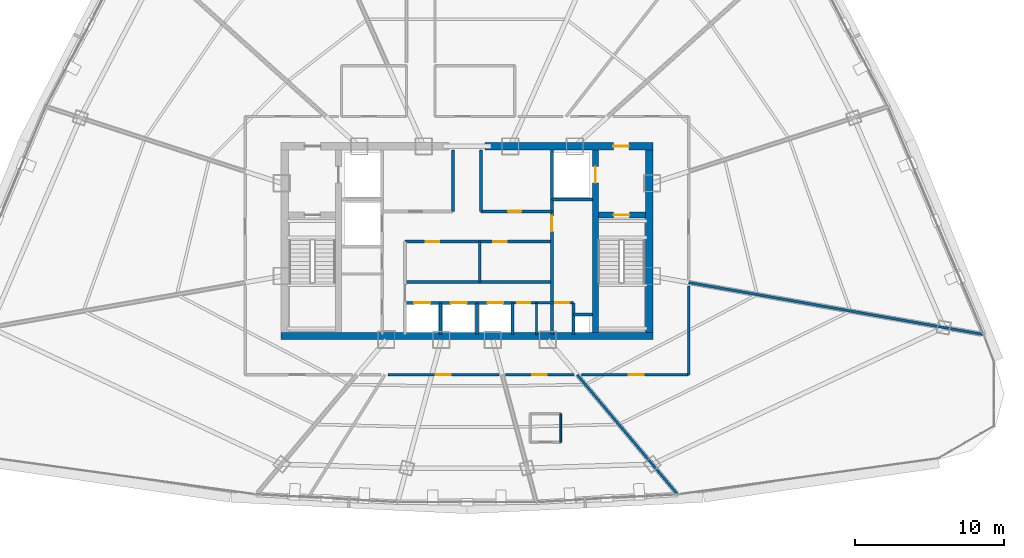
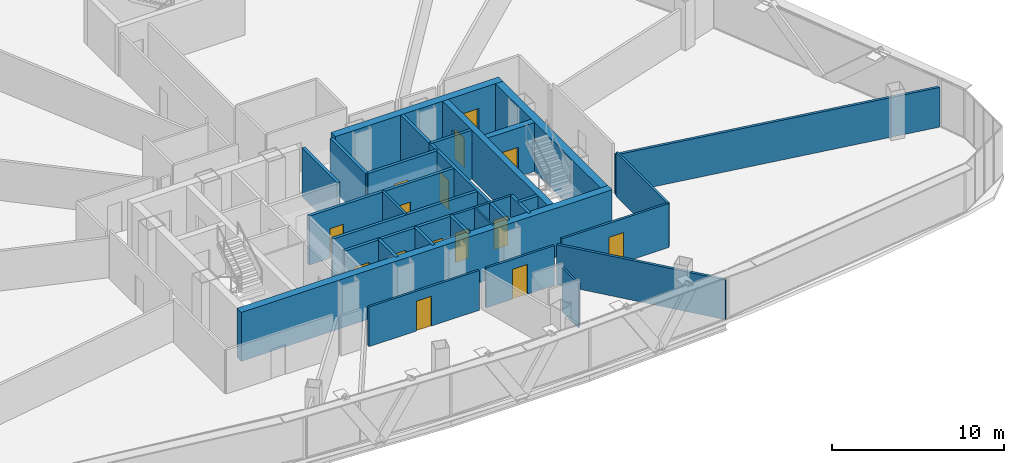
# One storey, part 31 of 36: 29 walls, 15 doors, 15 openings.
"""IFC4 building model written with IfcOpenShell, lengths in metres."""

from ifc_helpers import new_model, si_unit, direction, frame, frame_2d, origin, origin_with_axes, place, context, subcontext, project, spatial, rectangle, extrude, source, transform, mapped, material, layer, layer_set, type_object, element, fill, save


model = new_model("IFC4")

# Units and contexts
model_context = context("Model", 3, precision=1e-05, world=origin(), true_north=direction((0.0, 1.0)))
body_context = subcontext(model_context, "Body", "Model", "MODEL_VIEW")
ifc_project = project(units=[si_unit("LENGTHUNIT", "METRE"), si_unit("AREAUNIT", "SQUARE_METRE"), si_unit("VOLUMEUNIT", "CUBIC_METRE"), si_unit("PLANEANGLEUNIT", "RADIAN"), si_unit("MASSUNIT", "GRAM", prefix="KILO"), si_unit("THERMODYNAMICTEMPERATUREUNIT", "KELVIN"), si_unit("POWERUNIT", "WATT")], contexts=[model_context])

# Site, building, storey
site_placement = place(None, origin())
site = spatial("IfcSite", under=ifc_project, at=site_placement, CompositionType="ELEMENT")
building_placement = place(site_placement, origin())
building = spatial("IfcBuilding", under=site, at=building_placement, Name="Yunzhuo Pagoda Commons", CompositionType="ELEMENT")
storey_placement = place(building_placement, frame((0.0, 0.0, 248.260009765625)))
storey = spatial("IfcBuildingStorey", under=building, at=storey_placement, Name="L62", CompositionType="ELEMENT", Elevation=248.260009765625)

# Wall
ifc_material_1 = material(Name="Concrete C50", Category="concrete")
ifc_layer_1 = layer(ifc_material_1, 0.5)
ifc_layer_set_1 = layer_set([ifc_layer_1], Name="Concrete C50")
wall_type_1 = type_object("IfcWallType", Name="W-C03 Upper Core Shear Wall 500", PredefinedType="SHEAR", material=ifc_layer_set_1)
wall_1_placement = place(storey_placement, frame((35.550048828125, 27.5, 0.0), z_axis=(0.0, 0.0, 1.0), x_axis=(1.0, 0.0, 0.0)))
element("IfcWall", 1, at=wall_1_placement, inside=storey, type_object=wall_type_1, Name="L62 core shear wall S", PredefinedType="SHEAR", context=body_context, shape_type="SweptSolid", body=[
    extrude(rectangle(XDim=24.89990234375, YDim=0.5, at=frame_2d((12.449951171875, 0.0))), origin(), (0.0, 0.0, 1.0), 3.469970703125),
])

# Wall, opening, door
wall_2_placement = place(storey_placement, frame((49.199951171875, 40.199951171875, 0.0), z_axis=(0.0, 0.0, 1.0), x_axis=(1.0, 0.0, 0.0)))
wall_2 = element("IfcWall", 2, at=wall_2_placement, inside=storey, type_object=wall_type_1, Name="L62 core shear wall NE", PredefinedType="SHEAR", context=body_context, shape_type="SweptSolid", body=[
    extrude(rectangle(XDim=11.25, YDim=0.5, at=frame_2d((5.625, 0.0))), origin(), (0.0, 0.0, 1.0), 3.469970703125),
])
opening_1_placement = place(wall_2_placement, frame((8.60009765625, 0.0, 0.0)))
opening_1 = element("IfcOpeningElement", 3, at=opening_1_placement, cuts=wall_2, Name="Opening D-02", PredefinedType="OPENING", context=body_context, shape_type="SweptSolid", body=[
    extrude(rectangle(XDim=1.050048828125, YDim=2.10009765625, at=frame_2d((0.52490234375, 1.050048828125))), frame((0.0, 0.260009765625, 0.0), z_axis=(0.0, -1.0, 0.0), x_axis=(1.0, 0.0, 0.0)), (0.0, 0.0, 1.0), 0.52001953125),
])
ifc_material_2 = material(Name="Galvanized fire-resisting metal leaf")
door_type_1 = type_object("IfcDoorType", Name="D-02 Firefighting Lobby & Refuge Fire Door 1050x2100", OperationType="NOTDEFINED", PredefinedType="DOOR", material=ifc_material_2)
shared_shape_1 = source(origin(), body_context, "Body", "SweptSolid", [
    extrude(rectangle(XDim=1.050048828125, YDim=2.10009765625, at=frame_2d((0.52490234375, 1.050048828125))), frame((0.0, 0.02490234375, 0.0), z_axis=(0.0, -1.0, 0.0), x_axis=(1.0, 0.0, 0.0)), (0.0, 0.0, 1.0), 0.050048828125),
])
door_1_placement = place(opening_1_placement, frame((1.050048828125, 0.0, 0.0), z_axis=(0.0, 0.0, 1.0), x_axis=(-1.0, 0.0, 0.0)))
door_1 = element("IfcDoor", 4, at=door_1_placement, inside=storey, type_object=door_type_1, Name="L62 Firefighting Lobby 2 fire door", OperationType="SINGLE_SWING_RIGHT", OverallHeight=2.10009765625, OverallWidth=1.050048828125, PredefinedType="DOOR", context=body_context, shape_type="MappedRepresentation", body=[
    mapped(shared_shape_1, transform((0.0, 0.0, 0.0), scale=1.0)),
])
fill(opening_1, door_1)

# Walls
wall_3_placement = place(storey_placement, frame((60.199951171875, 27.75, 0.0), z_axis=(0.0, 0.0, 1.0), x_axis=(0.0, 1.0, 0.0)))
element("IfcWall", 5, at=wall_3_placement, inside=storey, type_object=wall_type_1, Name="L62 core shear wall E", PredefinedType="SHEAR", context=body_context, shape_type="SweptSolid", body=[
    extrude(rectangle(XDim=12.199951171875, YDim=0.5, at=frame_2d((6.10009765625, 0.0))), origin(), (0.0, 0.0, 1.0), 3.469970703125),
])
ifc_material_3 = material(Name="Gypsum plasterboard on acoustic stud")
ifc_layer_2 = layer(ifc_material_3, 0.14990234375)
ifc_layer_set_2 = layer_set([ifc_layer_2], Name="Gypsum plasterboard on acoustic stud")
wall_type_2 = type_object("IfcWallType", Name="W-COR3 High-Zone Rated Corridor Wall 150", PredefinedType="PARTITIONING", material=ifc_layer_set_2)
wall_4_placement = place(storey_placement, frame((48.85009765625, 31.1201171875, 0.0), z_axis=(0.0, 0.0, 1.0), x_axis=(0.0, 1.0, 0.0)))
element("IfcWall", 6, at=wall_4_placement, inside=storey, type_object=wall_type_2, Name="L62 interior wall IW-L62-FRMD", PredefinedType="PARTITIONING", context=body_context, shape_type="SweptSolid", body=[
    extrude(rectangle(XDim=2.699951171875, YDim=0.14990234375, at=frame_2d((1.35009765625, 0.0))), origin(), (0.0, 0.0, 1.0), 3.469970703125),
])

# Wall, openings, doors
wall_5_placement = place(storey_placement, frame((51.050048828125, 29.719970703125, 0.0), z_axis=(0.0, 0.0, 1.0), x_axis=(1.0, 0.0, 0.0)))
wall_5 = element("IfcWall", 7, at=wall_5_placement, inside=storey, type_object=wall_type_2, Name="L62 interior wall IW-L62-CSES", PredefinedType="PARTITIONING", context=body_context, shape_type="SweptSolid", body=[
    extrude(rectangle(XDim=4.070068359375, YDim=0.14990234375, at=frame_2d((2.03515625, 0.0))), origin(), (0.0, 0.0, 1.0), 3.469970703125),
])
opening_2_placement = place(wall_5_placement, frame((0.300048828125, 0.0, 0.0)))
opening_2 = element("IfcOpeningElement", 8, at=opening_2_placement, cuts=wall_5, Name="Opening D-03", PredefinedType="OPENING", context=body_context, shape_type="SweptSolid", body=[
    extrude(rectangle(XDim=0.89990234375, YDim=2.10009765625, at=frame_2d((0.449951171875, 1.050048828125))), frame((0.0, 0.0849609375, 0.0), z_axis=(0.0, -1.0, 0.0), x_axis=(1.0, 0.0, 0.0)), (0.0, 0.0, 1.0), 0.169921875),
])
opening_3_placement = place(wall_5_placement, frame((2.860107421875, 0.0, 0.0)))
opening_3 = element("IfcOpeningElement", 9, at=opening_3_placement, cuts=wall_5, Name="Opening D-11", PredefinedType="OPENING", context=body_context, shape_type="SweptSolid", body=[
    extrude(rectangle(XDim=0.93994140625, YDim=2.10009765625, at=frame_2d((0.469970703125, 1.050048828125))), frame((0.0, 0.0849609375, 0.0), z_axis=(0.0, -1.0, 0.0), x_axis=(1.0, 0.0, 0.0)), (0.0, 0.0, 1.0), 0.169921875),
])
door_type_2 = type_object("IfcDoorType", Name="D-03 Core Service Fire Door 900x2100", OperationType="NOTDEFINED", PredefinedType="DOOR", material=ifc_material_2)
shared_shape_2 = source(origin(), body_context, "Body", "SweptSolid", [
    extrude(rectangle(XDim=0.89990234375, YDim=2.10009765625, at=frame_2d((0.449951171875, 1.050048828125))), frame((0.0, 0.02490234375, 0.0), z_axis=(0.0, -1.0, 0.0), x_axis=(1.0, 0.0, 0.0)), (0.0, 0.0, 1.0), 0.050048828125),
])
door_2_placement = place(opening_2_placement, origin_with_axes())
door_2 = element("IfcDoor", 10, at=door_2_placement, inside=storey, type_object=door_type_2, Name="L62 cleaner door", OperationType="SINGLE_SWING_LEFT", OverallHeight=2.10009765625, OverallWidth=0.89990234375, PredefinedType="DOOR", context=body_context, shape_type="MappedRepresentation", body=[
    mapped(shared_shape_2, transform((0.0, 0.0, 0.0), scale=1.0)),
])
fill(opening_2, door_2)
door_type_3 = type_object("IfcDoorType", Name="D-11 Accessible Washroom Fire Door 940x2100", OperationType="NOTDEFINED", PredefinedType="DOOR", material=ifc_material_2)
shared_shape_3 = source(origin(), body_context, "Body", "SweptSolid", [
    extrude(rectangle(XDim=0.93994140625, YDim=2.10009765625, at=frame_2d((0.469970703125, 1.050048828125))), frame((0.0, 0.02490234375, 0.0), z_axis=(0.0, -1.0, 0.0), x_axis=(1.0, 0.0, 0.0)), (0.0, 0.0, 1.0), 0.050048828125),
])
door_3_placement = place(opening_3_placement, origin_with_axes())
door_3 = element("IfcDoor", 11, at=door_3_placement, inside=storey, type_object=door_type_3, Name="L62 core WC door", OperationType="SINGLE_SWING_RIGHT", OverallHeight=2.10009765625, OverallWidth=0.93994140625, PredefinedType="DOOR", context=body_context, shape_type="MappedRepresentation", body=[
    mapped(shared_shape_3, transform((0.0, 0.0, 0.0), scale=1.0)),
])
fill(opening_3, door_3)

# Wall
wall_6_placement = place(storey_placement, frame((62.85009765625, 30.858154296875, 0.0), z_axis=(0.0, 0.0, 1.0), x_axis=(0.0, -1.0, 0.0)))
element("IfcWall", 12, at=wall_6_placement, inside=storey, type_object=wall_type_2, Name="L62 interior wall IW-L62-CWL13", PredefinedType="PARTITIONING", context=body_context, shape_type="SweptSolid", body=[
    extrude(rectangle(XDim=5.958251953125, YDim=0.14990234375, at=frame_2d((2.97900390625, 0.0))), origin(), (0.0, 0.0, 1.0), 3.119873046875),
])

# Wall, opening, door
wall_7_placement = place(storey_placement, frame((62.85009765625, 24.89990234375, 0.0), z_axis=(0.0, 0.0, 1.0), x_axis=(-1.0, 0.0, 0.0)))
wall_7 = element("IfcWall", 13, at=wall_7_placement, inside=storey, type_object=wall_type_2, Name="L62 interior wall IW-L62-CWL14", PredefinedType="PARTITIONING", context=body_context, shape_type="SweptSolid", body=[
    extrude(rectangle(XDim=7.1787109375, YDim=0.14990234375, at=frame_2d((3.58935546875, 0.0))), origin(), (0.0, 0.0, 1.0), 3.119873046875),
])
opening_4_placement = place(wall_7_placement, frame((3.028076171875, 0.0, 0.0)))
opening_4 = element("IfcOpeningElement", 14, at=opening_4_placement, cuts=wall_7, Name="Opening D-08", PredefinedType="OPENING", context=body_context, shape_type="SweptSolid", body=[
    extrude(rectangle(XDim=0.97998046875, YDim=2.1201171875, at=frame_2d((0.489990234375, 1.06005859375))), frame((0.0, 0.0849609375, 0.0), z_axis=(0.0, -1.0, 0.0), x_axis=(1.0, 0.0, 0.0)), (0.0, 0.0, 1.0), 0.169921875),
])
door_type_4 = type_object("IfcDoorType", Name="D-08 High-Zone Suite Entrance Fire Door 980x2120", OperationType="NOTDEFINED", PredefinedType="DOOR", material=ifc_material_2)
shared_shape_4 = source(origin(), body_context, "Body", "SweptSolid", [
    extrude(rectangle(XDim=0.97998046875, YDim=2.1201171875, at=frame_2d((0.489990234375, 1.06005859375))), frame((0.0, 0.02490234375, 0.0), z_axis=(0.0, -1.0, 0.0), x_axis=(1.0, 0.0, 0.0)), (0.0, 0.0, 1.0), 0.050048828125),
])
door_4_placement = place(opening_4_placement, origin_with_axes())
door_4 = element("IfcDoor", 15, at=door_4_placement, inside=storey, type_object=door_type_4, Name="L62 unit 12 entrance door", OperationType="SINGLE_SWING_LEFT", OverallHeight=2.1201171875, OverallWidth=0.97998046875, PredefinedType="DOOR", context=body_context, shape_type="MappedRepresentation", body=[
    mapped(shared_shape_4, transform((0.0, 0.0, 0.0), scale=1.0)),
])
fill(opening_4, door_4)

wall_8_placement = place(storey_placement, frame((55.164306640625, 24.89990234375, 0.0), z_axis=(0.0, 0.0, 1.0), x_axis=(-1.0, 0.0, 0.0)))
wall_8 = element("IfcWall", 16, at=wall_8_placement, inside=storey, type_object=wall_type_2, Name="L62 interior wall IW-L62-CWL15", PredefinedType="PARTITIONING", context=body_context, shape_type="SweptSolid", body=[
    extrude(rectangle(XDim=4.57861328125, YDim=0.14990234375, at=frame_2d((2.289306640625, 0.0))), origin(), (0.0, 0.0, 1.0), 2.820068359375),
])
opening_5_placement = place(wall_8_placement, frame((1.818115234375, 0.0, 0.0)))
opening_5 = element("IfcOpeningElement", 17, at=opening_5_placement, cuts=wall_8, Name="Opening D-08", PredefinedType="OPENING", context=body_context, shape_type="SweptSolid", body=[
    extrude(rectangle(XDim=0.97998046875, YDim=2.1201171875, at=frame_2d((0.489990234375, 1.06005859375))), frame((0.0, 0.0849609375, 0.0), z_axis=(0.0, -1.0, 0.0), x_axis=(1.0, 0.0, 0.0)), (0.0, 0.0, 1.0), 0.169921875),
])
door_5_placement = place(opening_5_placement, origin_with_axes())
door_5 = element("IfcDoor", 18, at=door_5_placement, inside=storey, type_object=door_type_4, Name="L62 unit 11 entrance door", OperationType="SINGLE_SWING_RIGHT", OverallHeight=2.1201171875, OverallWidth=0.97998046875, PredefinedType="DOOR", context=body_context, shape_type="MappedRepresentation", body=[
    mapped(shared_shape_4, transform((0.0, 0.0, 0.0), scale=1.0)),
])
fill(opening_5, door_5)

wall_9_placement = place(storey_placement, frame((50.13818359375, 24.89990234375, 0.0), z_axis=(0.0, 0.0, 1.0), x_axis=(-1.0, 0.0, 0.0)))
wall_9 = element("IfcWall", 19, at=wall_9_placement, inside=storey, type_object=wall_type_2, Name="L62 interior wall IW-L62-CWL16", PredefinedType="PARTITIONING", context=body_context, shape_type="SweptSolid", body=[
    extrude(rectangle(XDim=7.417236328125, YDim=0.14990234375, at=frame_2d((3.70849609375, 0.0))), origin(), (0.0, 0.0, 1.0), 2.820068359375),
])
opening_6_placement = place(wall_9_placement, frame((3.233642578125, 0.0, 0.0)))
opening_6 = element("IfcOpeningElement", 20, at=opening_6_placement, cuts=wall_9, Name="Opening D-08", PredefinedType="OPENING", context=body_context, shape_type="SweptSolid", body=[
    extrude(rectangle(XDim=0.97998046875, YDim=2.1201171875, at=frame_2d((0.489990234375, 1.06005859375))), frame((0.0, 0.0849609375, 0.0), z_axis=(0.0, -1.0, 0.0), x_axis=(1.0, 0.0, 0.0)), (0.0, 0.0, 1.0), 0.169921875),
])
door_6_placement = place(opening_6_placement, origin_with_axes())
door_6 = element("IfcDoor", 21, at=door_6_placement, inside=storey, type_object=door_type_4, Name="L62 Resident Co-Living Commons Hall door", OperationType="SINGLE_SWING_LEFT", OverallHeight=2.1201171875, OverallWidth=0.97998046875, PredefinedType="DOOR", context=body_context, shape_type="MappedRepresentation", body=[
    mapped(shared_shape_4, transform((0.0, 0.0, 0.0), scale=1.0)),
])
fill(opening_6, door_6)

# Walls
ifc_layer_3 = layer(ifc_material_3, 0.1201171875)
ifc_layer_set_3 = layer_set([ifc_layer_3], Name="Gypsum plasterboard on acoustic stud")
wall_type_3 = type_object("IfcWallType", Name="W-PRT1 Suite & Bathroom Partition 120", PredefinedType="PARTITIONING", material=ifc_layer_set_3)
wall_10_placement = place(storey_placement, frame((52.64990234375, 27.60009765625, 0.0), z_axis=(0.0, 0.0, 1.0), x_axis=(0.0, 1.0, 0.0)))
element("IfcWall", 22, at=wall_10_placement, inside=storey, type_object=wall_type_3, Name="L62 interior wall IW-L62-CD2", PredefinedType="PARTITIONING", context=body_context, shape_type="SweptSolid", body=[
    extrude(rectangle(XDim=2.119873046875, YDim=0.1201171875, at=frame_2d((1.06005859375, 0.0))), origin(), (0.0, 0.0, 1.0), 3.469970703125),
])
wall_11_placement = place(storey_placement, frame((54.279052734375, 20.389892578125, 0.0), z_axis=(0.0, 0.0, 1.0), x_axis=(0.0, 1.0, 0.0)))
element("IfcWall", 23, at=wall_11_placement, inside=storey, type_object=wall_type_3, Name="L62 interior wall IW-L62-B11E", PredefinedType="PARTITIONING", context=body_context, shape_type="SweptSolid", body=[
    extrude(rectangle(XDim=1.900146484375, YDim=0.1201171875, at=frame_2d((0.9501953125, 0.0))), origin(), (0.0, 0.0, 1.0), 3.119873046875),
])
ifc_layer_4 = layer(ifc_material_3, 0.169921875)
ifc_layer_set_4 = layer_set([ifc_layer_4], Name="Gypsum plasterboard on acoustic stud")
wall_type_4 = type_object("IfcWallType", Name="W-PRT4 High-Zone Demising Wall 170", PredefinedType="PARTITIONING", material=ifc_layer_set_4)
wall_12_placement = place(storey_placement, frame((55.384033203125, 24.89990234375, 0.0), z_axis=(0.0, 0.0, 1.0), x_axis=(0.642788120563, -0.766044014443, 0.0)))
element("IfcWall", 24, at=wall_12_placement, inside=storey, type_object=wall_type_4, Name="L62 interior wall IW-L62-RAD11", PredefinedType="PARTITIONING", context=body_context, shape_type="SweptSolid", body=[
    extrude(rectangle(XDim=10.46240234375, YDim=0.169921875, at=frame_2d((5.231201171875, 0.0))), origin(), (0.0, 0.0, 1.0), 2.820068359375),
])
wall_13_placement = place(storey_placement, frame((62.85009765625, 31.08154296875, 0.0), z_axis=(0.0, 0.0, 1.0), x_axis=(0.984808421785, -0.173644384824, 0.0)))
element("IfcWall", 25, at=wall_13_placement, inside=storey, type_object=wall_type_4, Name="L62 interior wall IW-L62-RAD12", PredefinedType="PARTITIONING", context=body_context, shape_type="SweptSolid", body=[
    extrude(rectangle(XDim=20.05908203125, YDim=0.169921875, at=frame_2d((10.029541015625, 0.0))), origin(), (0.0, 0.0, 1.0), 2.820068359375),
])

# Wall, opening, door
ifc_material_4 = material(Name="Concrete C60", Category="concrete")
ifc_layer_5 = layer(ifc_material_4, 0.39990234375)
ifc_layer_set_5 = layer_set([ifc_layer_5], Name="Concrete C60")
wall_type_5 = type_object("IfcWallType", Name="W-S01 Internal Core Shear Web 400", PredefinedType="SHEAR", material=ifc_layer_set_5)
wall_14_placement = place(storey_placement, frame((56.60009765625, 27.75, 0.0), z_axis=(0.0, 0.0, 1.0), x_axis=(0.0, 1.0, 0.0)))
wall_14 = element("IfcWall", 26, at=wall_14_placement, inside=storey, type_object=wall_type_5, Name="L62 core shear wall WEBE", PredefinedType="SHEAR", context=body_context, shape_type="SweptSolid", body=[
    extrude(rectangle(XDim=12.199951171875, YDim=0.39990234375, at=frame_2d((6.10009765625, 0.0))), origin(), (0.0, 0.0, 1.0), 3.469970703125),
])
opening_7_placement = place(wall_14_placement, frame((10.0, 0.0, 0.0)))
opening_7 = element("IfcOpeningElement", 27, at=opening_7_placement, cuts=wall_14, Name="Opening LD-01", PredefinedType="OPENING", context=body_context, shape_type="SweptSolid", body=[
    extrude(rectangle(XDim=1.10009765625, YDim=2.10009765625, at=frame_2d((0.550048828125, 1.050048828125))), frame((0.0, 0.2099609375, 0.0), z_axis=(0.0, -1.0, 0.0), x_axis=(1.0, 0.0, 0.0)), (0.0, 0.0, 1.0), 0.419921875),
])
door_type_5 = type_object("IfcDoorType", Name="LD-01 Firefighting Lift Landing Door 1100x2100", OperationType="DOUBLE_DOOR_SLIDING", PredefinedType="DOOR", material=ifc_material_2)
shared_shape_5 = source(origin(), body_context, "Body", "SweptSolid", [
    extrude(rectangle(XDim=1.10009765625, YDim=2.10009765625, at=frame_2d((0.550048828125, 1.050048828125))), frame((0.0, 0.02490234375, 0.0), z_axis=(0.0, -1.0, 0.0), x_axis=(1.0, 0.0, 0.0)), (0.0, 0.0, 1.0), 0.050048828125),
])
door_7_placement = place(opening_7_placement, origin_with_axes())
door_7 = element("IfcDoor", 28, at=door_7_placement, inside=storey, type_object=door_type_5, Name="L62 Firefighting lift FL-2 landing door", OperationType="DOUBLE_DOOR_SLIDING", OverallHeight=2.10009765625, OverallWidth=1.10009765625, PredefinedType="DOOR", context=body_context, shape_type="MappedRepresentation", body=[
    mapped(shared_shape_5, transform((0.0, 0.0, 0.0), scale=1.0)),
])
fill(opening_7, door_7)

wall_15_placement = place(storey_placement, frame((56.800048828125, 35.60009765625, 0.0), z_axis=(0.0, 0.0, 1.0), x_axis=(1.0, 0.0, 0.0)))
wall_15 = element("IfcWall", 29, at=wall_15_placement, inside=storey, type_object=wall_type_5, Name="L62 core shear wall STE", PredefinedType="SHEAR", context=body_context, shape_type="SweptSolid", body=[
    extrude(rectangle(XDim=3.14990234375, YDim=0.39990234375, at=frame_2d((1.574951171875, 0.0))), origin(), (0.0, 0.0, 1.0), 3.469970703125),
])
opening_8_placement = place(wall_15_placement, frame((1.02001953125, 0.0, 0.0)))
opening_8 = element("IfcOpeningElement", 30, at=opening_8_placement, cuts=wall_15, Name="Opening D-01", PredefinedType="OPENING", context=body_context, shape_type="SweptSolid", body=[
    extrude(rectangle(XDim=1.050048828125, YDim=2.10009765625, at=frame_2d((0.52490234375, 1.050048828125))), frame((0.0, 0.2099609375, 0.0), z_axis=(0.0, -1.0, 0.0), x_axis=(1.0, 0.0, 0.0)), (0.0, 0.0, 1.0), 0.419921875),
])
door_type_6 = type_object("IfcDoorType", Name="D-01 Smokeproof Stair Fire Door 1050x2100", OperationType="NOTDEFINED", PredefinedType="DOOR", material=ifc_material_2)
door_8_placement = place(opening_8_placement, frame((1.050048828125, 0.0, 0.0), z_axis=(0.0, 0.0, 1.0), x_axis=(-1.0, 0.0, 0.0)))
door_8 = element("IfcDoor", 31, at=door_8_placement, inside=storey, type_object=door_type_6, Name="L62 Stair ST2 fire door", OperationType="SINGLE_SWING_RIGHT", OverallHeight=2.10009765625, OverallWidth=1.050048828125, PredefinedType="DOOR", context=body_context, shape_type="MappedRepresentation", body=[
    mapped(shared_shape_1, transform((0.0, 0.0, 0.0), scale=1.0)),
])
fill(opening_8, door_8)

# Walls
ifc_material_5 = material(Name="Concrete C40", Category="concrete")
ifc_layer_6 = layer(ifc_material_5, 0.199951171875)
ifc_layer_set_6 = layer_set([ifc_layer_6], Name="Concrete C40")
wall_type_6 = type_object("IfcWallType", Name="W-SHF Shaft & Stair Enclosure Wall 200", PredefinedType="SOLIDWALL", material=ifc_layer_set_6)
wall_16_placement = place(storey_placement, frame((53.679931640625, 36.64990234375, 0.0), z_axis=(0.0, 0.0, 1.0), x_axis=(0.0, 1.0, 0.0)))
element("IfcWall", 32, at=wall_16_placement, inside=storey, type_object=wall_type_6, Name="L62 interior wall IW-L62-FL2W", PredefinedType="SOLIDWALL", context=body_context, shape_type="SweptSolid", body=[
    extrude(rectangle(XDim=3.300048828125, YDim=0.199951171875, at=frame_2d((1.64990234375, 0.0))), origin(), (0.0, 0.0, 1.0), 3.469970703125),
])
wall_17_placement = place(storey_placement, frame((53.679931640625, 36.64990234375, 0.0), z_axis=(0.0, 0.0, 1.0), x_axis=(1.0, 0.0, 0.0)))
element("IfcWall", 33, at=wall_17_placement, inside=storey, type_object=wall_type_6, Name="L62 interior wall IW-L62-FL2S", PredefinedType="SOLIDWALL", context=body_context, shape_type="SweptSolid", body=[
    extrude(rectangle(XDim=2.719970703125, YDim=0.199951171875, at=frame_2d((1.35986328125, 0.0))), origin(), (0.0, 0.0, 1.0), 3.469970703125),
])

# Wall, opening, door
wall_18_placement = place(storey_placement, frame((48.949951171875, 35.85009765625, 0.0), z_axis=(0.0, 0.0, 1.0), x_axis=(1.0, 0.0, 0.0)))
wall_18 = element("IfcWall", 34, at=wall_18_placement, inside=storey, type_object=wall_type_6, Name="L62 interior wall IW-L62-LBNE", PredefinedType="SOLIDWALL", context=body_context, shape_type="SweptSolid", body=[
    extrude(rectangle(XDim=4.72998046875, YDim=0.199951171875, at=frame_2d((2.364990234375, 0.0))), origin(), (0.0, 0.0, 1.0), 3.469970703125),
])
opening_9_placement = place(wall_18_placement, frame((1.800048828125, 0.0, 0.0)))
opening_9 = element("IfcOpeningElement", 35, at=opening_9_placement, cuts=wall_18, Name="Opening D-03", PredefinedType="OPENING", context=body_context, shape_type="SweptSolid", body=[
    extrude(rectangle(XDim=0.89990234375, YDim=2.10009765625, at=frame_2d((0.449951171875, 1.050048828125))), frame((0.0, 0.10986328125, 0.0), z_axis=(0.0, -1.0, 0.0), x_axis=(1.0, 0.0, 0.0)), (0.0, 0.0, 1.0), 0.219970703125),
])
door_9_placement = place(opening_9_placement, frame((0.89990234375, 0.0, 0.0), z_axis=(0.0, 0.0, 1.0), x_axis=(-1.0, 0.0, 0.0)))
door_9 = element("IfcDoor", 36, at=door_9_placement, inside=storey, type_object=door_type_2, Name="L62 core east store door", OperationType="SINGLE_SWING_RIGHT", OverallHeight=2.10009765625, OverallWidth=0.89990234375, PredefinedType="DOOR", context=body_context, shape_type="MappedRepresentation", body=[
    mapped(shared_shape_2, transform((0.0, 0.0, 0.0), scale=1.0)),
])
fill(opening_9, door_9)

# Walls
for number, where, z_axis, x_axis, name in (
    (37, (47.050048828125, 35.85009765625, 0.0), (0.0, 0.0, 1.0), (0.0, 1.0, 0.0), "L62 interior wall IW-L62-THRW"),
    (38, (48.949951171875, 35.85009765625, 0.0), (0.0, 0.0, 1.0), (0.0, 1.0, 0.0), "L62 interior wall IW-L62-THRE"),
):
    element("IfcWall", number, at=place(storey_placement, frame(where, z_axis=z_axis, x_axis=x_axis)), inside=storey, type_object=wall_type_6, Name=name, PredefinedType="SOLIDWALL", context=body_context, shape_type="SweptSolid", body=[
        extrude(rectangle(XDim=4.099853515625, YDim=0.199951171875, at=frame_2d((2.0498046875, 0.0))), origin(), (0.0, 0.0, 1.0), 3.469970703125),
    ])

# Wall, openings, doors
wall_19_placement = place(storey_placement, frame((43.85009765625, 33.820068359375, 0.0), z_axis=(0.0, 0.0, 1.0), x_axis=(1.0, 0.0, 0.0)))
wall_19 = element("IfcWall", 39, at=wall_19_placement, inside=storey, type_object=wall_type_6, Name="L62 interior wall IW-L62-MLBS", PredefinedType="SOLIDWALL", context=body_context, shape_type="SweptSolid", body=[
    extrude(rectangle(XDim=9.829833984375, YDim=0.199951171875, at=frame_2d((4.9150390625, 0.0))), origin(), (0.0, 0.0, 1.0), 3.469970703125),
])
opening_10_placement = place(wall_19_placement, frame((1.39990234375, 0.0, 0.0)))
opening_10 = element("IfcOpeningElement", 40, at=opening_10_placement, cuts=wall_19, Name="Opening D-03", PredefinedType="OPENING", context=body_context, shape_type="SweptSolid", body=[
    extrude(rectangle(XDim=0.89990234375, YDim=2.10009765625, at=frame_2d((0.449951171875, 1.050048828125))), frame((0.0, 0.10986328125, 0.0), z_axis=(0.0, -1.0, 0.0), x_axis=(1.0, 0.0, 0.0)), (0.0, 0.0, 1.0), 0.219970703125),
])
opening_11_placement = place(wall_19_placement, frame((5.89990234375, 0.0, 0.0)))
opening_11 = element("IfcOpeningElement", 41, at=opening_11_placement, cuts=wall_19, Name="Opening D-03", PredefinedType="OPENING", context=body_context, shape_type="SweptSolid", body=[
    extrude(rectangle(XDim=0.89990234375, YDim=2.10009765625, at=frame_2d((0.449951171875, 1.050048828125))), frame((0.0, 0.10986328125, 0.0), z_axis=(0.0, -1.0, 0.0), x_axis=(1.0, 0.0, 0.0)), (0.0, 0.0, 1.0), 0.219970703125),
])
door_10_placement = place(opening_10_placement, origin_with_axes())
door_10 = element("IfcDoor", 42, at=door_10_placement, inside=storey, type_object=door_type_2, Name="L62 core mid-west store door", OperationType="SINGLE_SWING_LEFT", OverallHeight=2.10009765625, OverallWidth=0.89990234375, PredefinedType="DOOR", context=body_context, shape_type="MappedRepresentation", body=[
    mapped(shared_shape_2, transform((0.0, 0.0, 0.0), scale=1.0)),
])
fill(opening_10, door_10)
door_11_placement = place(opening_11_placement, origin_with_axes())
door_11 = element("IfcDoor", 43, at=door_11_placement, inside=storey, type_object=door_type_2, Name="L62 core mid-east store door", OperationType="SINGLE_SWING_RIGHT", OverallHeight=2.10009765625, OverallWidth=0.89990234375, PredefinedType="DOOR", context=body_context, shape_type="MappedRepresentation", body=[
    mapped(shared_shape_2, transform((0.0, 0.0, 0.0), scale=1.0)),
])
fill(opening_11, door_11)

# Wall, opening, door
wall_20_placement = place(storey_placement, frame((53.679931640625, 27.60009765625, 0.0), z_axis=(0.0, 0.0, 1.0), x_axis=(0.0, 1.0, 0.0)))
wall_20 = element("IfcWall", 44, at=wall_20_placement, inside=storey, type_object=wall_type_6, Name="L62 interior wall IW-L62-PLME", PredefinedType="SOLIDWALL", context=body_context, shape_type="SweptSolid", body=[
    extrude(rectangle(XDim=9.0498046875, YDim=0.199951171875, at=frame_2d((4.52490234375, 0.0))), origin(), (0.0, 0.0, 1.0), 3.469970703125),
])
opening_12_placement = place(wall_20_placement, frame((6.89990234375, 0.0, 0.0)))
opening_12 = element("IfcOpeningElement", 45, at=opening_12_placement, cuts=wall_20, Name="Opening D-02", PredefinedType="OPENING", context=body_context, shape_type="SweptSolid", body=[
    extrude(rectangle(XDim=1.050048828125, YDim=2.10009765625, at=frame_2d((0.52490234375, 1.050048828125))), frame((0.0, 0.10986328125, 0.0), z_axis=(0.0, -1.0, 0.0), x_axis=(1.0, 0.0, 0.0)), (0.0, 0.0, 1.0), 0.219970703125),
])
door_12_placement = place(opening_12_placement, origin_with_axes())
door_12 = element("IfcDoor", 46, at=door_12_placement, inside=storey, type_object=door_type_1, Name="L62 High-bank lift hall door", OperationType="SINGLE_SWING_RIGHT", OverallHeight=2.10009765625, OverallWidth=1.050048828125, PredefinedType="DOOR", context=body_context, shape_type="MappedRepresentation", body=[
    mapped(shared_shape_1, transform((0.0, 0.0, 0.0), scale=1.0)),
])
fill(opening_12, door_12)

# Wall, openings, doors
wall_21_placement = place(storey_placement, frame((43.85009765625, 29.719970703125, 0.0), z_axis=(0.0, 0.0, 1.0), x_axis=(1.0, 0.0, 0.0)))
wall_21 = element("IfcWall", 47, at=wall_21_placement, inside=storey, type_object=wall_type_6, Name="L62 interior wall IW-L62-PLHN", PredefinedType="SOLIDWALL", context=body_context, shape_type="SweptSolid", body=[
    extrude(rectangle(XDim=7.199951171875, YDim=0.199951171875, at=frame_2d((3.60009765625, 0.0))), origin(), (0.0, 0.0, 1.0), 3.469970703125),
])
opening_13_placement = place(wall_21_placement, frame((0.625, 0.0, 0.0)))
opening_13 = element("IfcOpeningElement", 48, at=opening_13_placement, cuts=wall_21, Name="Opening LD-02", PredefinedType="OPENING", context=body_context, shape_type="SweptSolid", body=[
    extrude(rectangle(XDim=1.050048828125, YDim=2.10009765625, at=frame_2d((0.52490234375, 1.050048828125))), frame((0.0, 0.10986328125, 0.0), z_axis=(0.0, -1.0, 0.0), x_axis=(1.0, 0.0, 0.0)), (0.0, 0.0, 1.0), 0.219970703125),
])
opening_14_placement = place(wall_21_placement, frame((3.074951171875, 0.0, 0.0)))
opening_14 = element("IfcOpeningElement", 49, at=opening_14_placement, cuts=wall_21, Name="Opening LD-02", PredefinedType="OPENING", context=body_context, shape_type="SweptSolid", body=[
    extrude(rectangle(XDim=1.050048828125, YDim=2.10009765625, at=frame_2d((0.52490234375, 1.050048828125))), frame((0.0, 0.10986328125, 0.0), z_axis=(0.0, -1.0, 0.0), x_axis=(1.0, 0.0, 0.0)), (0.0, 0.0, 1.0), 0.219970703125),
])
opening_15_placement = place(wall_21_placement, frame((5.52490234375, 0.0, 0.0)))
opening_15 = element("IfcOpeningElement", 50, at=opening_15_placement, cuts=wall_21, Name="Opening LD-02", PredefinedType="OPENING", context=body_context, shape_type="SweptSolid", body=[
    extrude(rectangle(XDim=1.050048828125, YDim=2.10009765625, at=frame_2d((0.52490234375, 1.050048828125))), frame((0.0, 0.10986328125, 0.0), z_axis=(0.0, -1.0, 0.0), x_axis=(1.0, 0.0, 0.0)), (0.0, 0.0, 1.0), 0.219970703125),
])
door_type_7 = type_object("IfcDoorType", Name="LD-02 Passenger Lift Landing Door 1050x2100", OperationType="DOUBLE_DOOR_SLIDING", PredefinedType="DOOR", material=ifc_material_2)
door_13_placement = place(opening_13_placement, origin_with_axes())
door_13 = element("IfcDoor", 51, at=door_13_placement, inside=storey, type_object=door_type_7, Name="L62 Passenger lift PL-H1 landing door", OperationType="DOUBLE_DOOR_SLIDING", OverallHeight=2.10009765625, OverallWidth=1.050048828125, PredefinedType="DOOR", context=body_context, shape_type="MappedRepresentation", body=[
    mapped(shared_shape_1, transform((0.0, 0.0, 0.0), scale=1.0)),
])
fill(opening_13, door_13)
door_14_placement = place(opening_14_placement, origin_with_axes())
door_14 = element("IfcDoor", 52, at=door_14_placement, inside=storey, type_object=door_type_7, Name="L62 Passenger lift PL-H2 landing door", OperationType="DOUBLE_DOOR_SLIDING", OverallHeight=2.10009765625, OverallWidth=1.050048828125, PredefinedType="DOOR", context=body_context, shape_type="MappedRepresentation", body=[
    mapped(shared_shape_1, transform((0.0, 0.0, 0.0), scale=1.0)),
])
fill(opening_14, door_14)
door_15_placement = place(opening_15_placement, origin_with_axes())
door_15 = element("IfcDoor", 53, at=door_15_placement, inside=storey, type_object=door_type_7, Name="L62 Passenger lift PL-H3 landing door", OperationType="DOUBLE_DOOR_SLIDING", OverallHeight=2.10009765625, OverallWidth=1.050048828125, PredefinedType="DOOR", context=body_context, shape_type="MappedRepresentation", body=[
    mapped(shared_shape_1, transform((0.0, 0.0, 0.0), scale=1.0)),
])
fill(opening_15, door_15)

# Walls
wall_22_placement = place(storey_placement, frame((51.050048828125, 27.60009765625, 0.0), z_axis=(0.0, 0.0, 1.0), x_axis=(0.0, 1.0, 0.0)))
element("IfcWall", 54, at=wall_22_placement, inside=storey, type_object=wall_type_6, Name="L62 interior wall IW-L62-PLHE", PredefinedType="SOLIDWALL", context=body_context, shape_type="SweptSolid", body=[
    extrude(rectangle(XDim=2.119873046875, YDim=0.199951171875, at=frame_2d((1.06005859375, 0.0))), origin(), (0.0, 0.0, 1.0), 3.469970703125),
])
wall_23_placement = place(storey_placement, frame((43.85009765625, 31.1201171875, 0.0), z_axis=(0.0, 0.0, 1.0), x_axis=(1.0, 0.0, 0.0)))
element("IfcWall", 55, at=wall_23_placement, inside=storey, type_object=wall_type_6, Name="L62 interior wall IW-L62-PLMS2", PredefinedType="SOLIDWALL", context=body_context, shape_type="SweptSolid", body=[
    extrude(rectangle(XDim=9.829833984375, YDim=0.199951171875, at=frame_2d((4.9150390625, 0.0))), origin(), (0.0, 0.0, 1.0), 3.469970703125),
])
for number, where, z_axis, x_axis, name in (
    (56, (46.22509765625, 27.60009765625, 0.0), (0.0, 0.0, 1.0), (0.0, 1.0, 0.0), "L62 interior wall IW-L62-PLHD1"),
    (57, (48.675048828125, 27.60009765625, 0.0), (0.0, 0.0, 1.0), (0.0, 1.0, 0.0), "L62 interior wall IW-L62-PLHD2"),
    (58, (55.1201171875, 27.60009765625, 0.0), (0.0, 0.0, 1.0), (0.0, 1.0, 0.0), "L62 interior wall IW-L62-RSHFW"),
):
    element("IfcWall", number, at=place(storey_placement, frame(where, z_axis=z_axis, x_axis=x_axis)), inside=storey, type_object=wall_type_6, Name=name, PredefinedType="SOLIDWALL", context=body_context, shape_type="SweptSolid", body=[
        extrude(rectangle(XDim=2.119873046875, YDim=0.199951171875, at=frame_2d((1.06005859375, 0.0))), origin(), (0.0, 0.0, 1.0), 3.469970703125),
    ])
wall_24_placement = place(storey_placement, frame((55.1201171875, 28.949951171875, 0.0), z_axis=(0.0, 0.0, 1.0), x_axis=(1.0, 0.0, 0.0)))
element("IfcWall", 59, at=wall_24_placement, inside=storey, type_object=wall_type_6, Name="L62 interior wall IW-L62-RSHFN", PredefinedType="SOLIDWALL", context=body_context, shape_type="SweptSolid", body=[
    extrude(rectangle(XDim=1.27978515625, YDim=0.199951171875, at=frame_2d((0.639892578125, 0.0))), origin(), (0.0, 0.0, 1.0), 3.469970703125),
])

save(model, "model.ifc")
